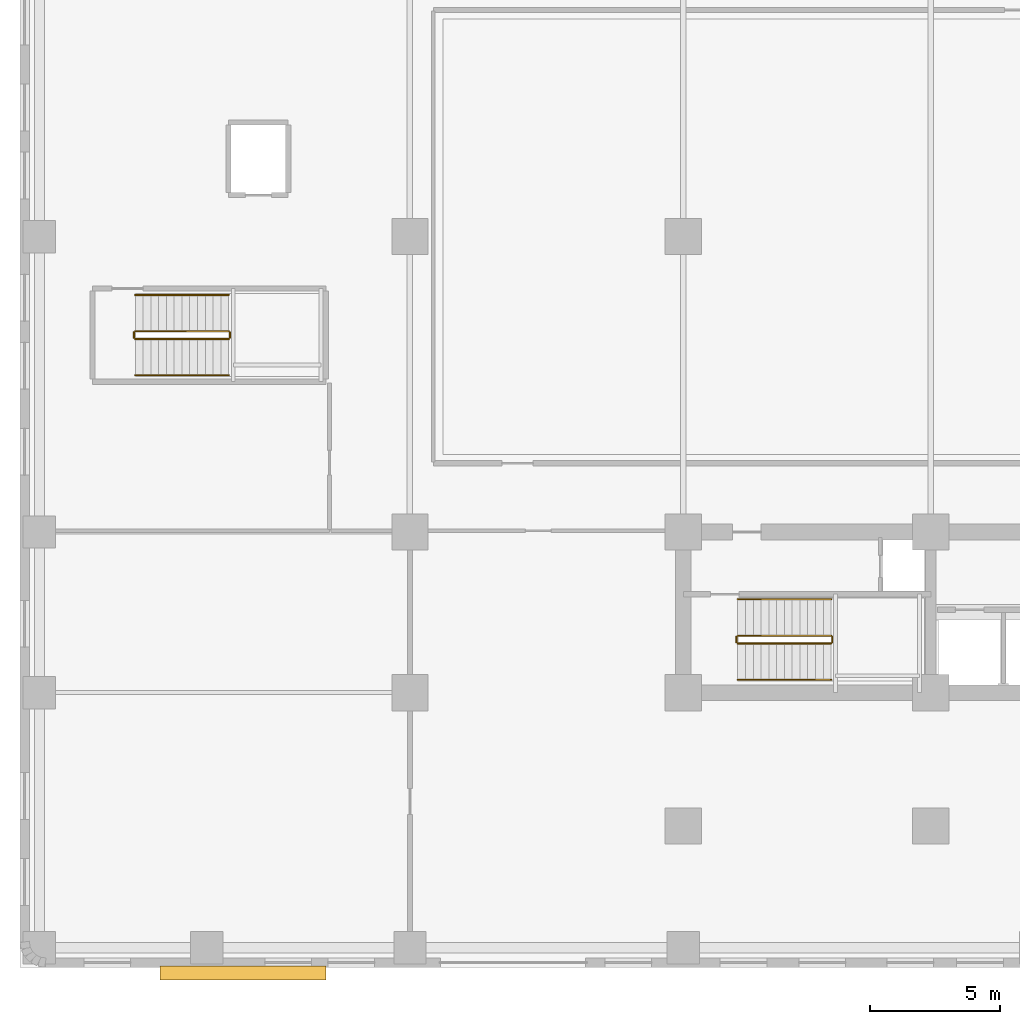
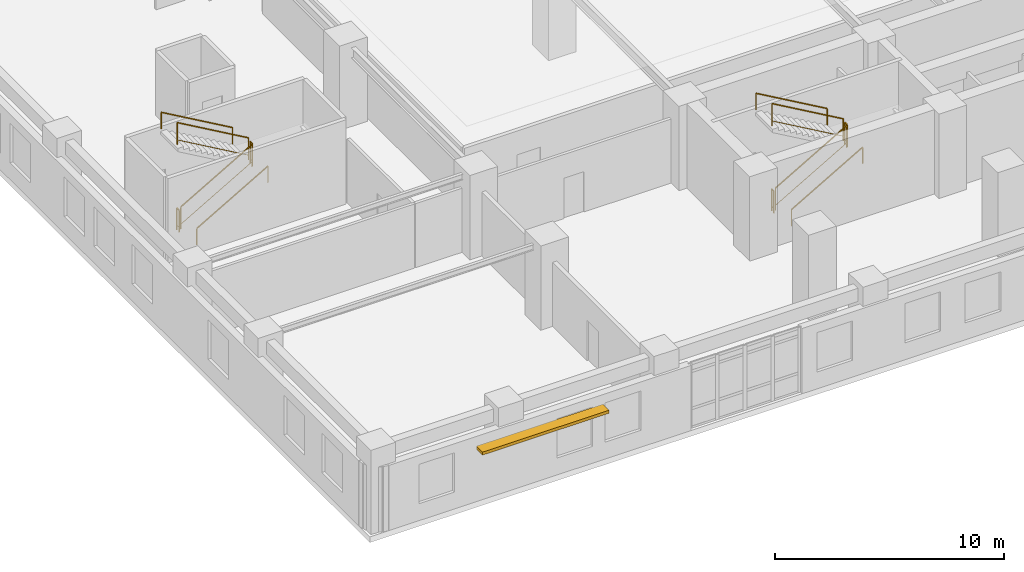
# One storey, part 13 of 16: 12 railings, 1 shading device.
"""IFC4 building model written with IfcOpenShell, lengths in metres."""

import ifcopenshell
import ifcopenshell.guid

model = None  # the IFC model being written
_history = None  # IfcOwnerHistory: only IFC2X3 demands one
_inside = {}  # id of a spatial element -> (the spatial element, [elements in it])
_under = {}  # id of a project, library or spatial element -> (it, [spatial elements below it])
_declared = {}  # id of a project -> (the project, [libraries it declares])
_typed = {}  # id of a type object -> (the type object, [elements of that type])
_made_of = {}  # id of a material, layer set ... -> (it, [elements and type objects made of it])


def new_model(schema):
    """Start an empty IFC model of exactly this schema.

    Asked for "IFC4X3", IfcOpenShell would pick the latest addendum, in which some entities
    have other attributes; the version numbers below select the first issue.
    IFC2X3 requires an IfcOwnerHistory on every rooted entity: one is made here for all.
    """
    global model, _history
    if schema == "IFC4X3":
        model = ifcopenshell.file(schema_version=(4, 3, 0, 0))
    else:
        model = ifcopenshell.file(schema=schema)
    _inside.clear()
    _under.clear()
    _declared.clear()
    _typed.clear()
    _made_of.clear()
    _history = None
    if model.schema == "IFC2X3":
        org = make("IfcOrganization", Name="unknown")
        user = make(
            "IfcPersonAndOrganization",
            ThePerson=make("IfcPerson", FamilyName="unknown"),
            TheOrganization=org,
        )
        app = make(
            "IfcApplication",
            ApplicationDeveloper=org,
            Version="unknown",
            ApplicationFullName="unknown",
            ApplicationIdentifier="unknown",
        )
        _history = make(
            "IfcOwnerHistory",
            OwningUser=user,
            OwningApplication=app,
            ChangeAction="ADDED",
            CreationDate=0,
        )
    return model


def make(cls, **values):
    """One entity of the class cls with the attributes given. An attribute that is None is left unset."""
    return model.create_entity(
        cls, **{name: value for name, value in values.items() if value is not None}
    )


def rooted(cls, **values):
    """An entity with a GlobalId (a new one), such as an element, a storey or a relation."""
    return make(cls, GlobalId=ifcopenshell.guid.new(), OwnerHistory=_history, **values)


def si_unit(unit_type, name, prefix=None):
    """IfcSIUnit, for example si_unit("LENGTHUNIT", "METRE", prefix="MILLI")."""
    return make("IfcSIUnit", UnitType=unit_type, Prefix=prefix, Name=name)


def assignment(units):
    """IfcUnitAssignment: the units of a project."""
    return None if units is None else make("IfcUnitAssignment", Units=units)


def point(xyz):
    """IfcCartesianPoint."""
    return None if xyz is None else make("IfcCartesianPoint", Coordinates=xyz)


def direction(xyz):
    """IfcDirection."""
    return None if xyz is None else make("IfcDirection", DirectionRatios=xyz)


def frame(location, z_axis=None, x_axis=None):
    """IfcAxis2Placement3D, a coordinate frame: its origin and axes. An axis left out is left unset."""
    return make(
        "IfcAxis2Placement3D",
        Location=point(location),
        Axis=direction(z_axis),
        RefDirection=direction(x_axis),
    )


def frame_2d(location, x_axis=None):
    """IfcAxis2Placement2D, a coordinate frame in the plane: its origin and x axis."""
    return make(
        "IfcAxis2Placement2D", Location=point(location), RefDirection=direction(x_axis)
    )


def origin():
    """The frame at (0, 0, 0) with its axes left unset."""
    return frame((0.0, 0.0, 0.0))


def origin_2d():
    """The frame at (0, 0) in the plane with its x axis left unset."""
    return frame_2d((0.0, 0.0))


def place(relative_to, where):
    """IfcLocalPlacement: puts the frame where relative to a parent placement (None: the world)."""
    return make(
        "IfcLocalPlacement", PlacementRelTo=relative_to, RelativePlacement=where
    )


def context(
    kind, dimensions, precision=None, world=None, true_north=None, identifier=None
):
    """IfcGeometricRepresentationContext, for example the 3D "Model" context."""
    return make(
        "IfcGeometricRepresentationContext",
        ContextIdentifier=identifier,
        ContextType=kind,
        CoordinateSpaceDimension=dimensions,
        Precision=precision,
        WorldCoordinateSystem=world,
        TrueNorth=true_north,
    )


def subcontext(parent, identifier, kind, view, scale=None):
    """IfcGeometricRepresentationSubContext, for example "Body" below "Model"."""
    return make(
        "IfcGeometricRepresentationSubContext",
        ContextIdentifier=identifier,
        ContextType=kind,
        ParentContext=parent,
        TargetScale=scale,
        TargetView=view,
    )


def project(units=None, contexts=None):
    """IfcProject with its units and contexts."""
    return rooted(
        "IfcProject",
        Name="project",
        RepresentationContexts=contexts,
        UnitsInContext=assignment(units),
    )


def spatial(cls, under=None, at=None, **own):
    """A site, building, storey or space (cls), placed at a placement, below another one or the project."""
    s = rooted(cls, ObjectPlacement=at, **own)
    if under is not None:
        _under.setdefault(under.id(), (under, []))[1].append(s)
    return s


def profile(cls, at=None, kind="AREA", **sizes):
    """A parametric profile (cls). Its sizes go by their IFC names, for example OverallWidth=200.0."""
    return make(cls, ProfileType=kind, Position=at, **sizes)


def rectangle(**sizes):
    """IfcRectangleProfileDef."""
    return profile("IfcRectangleProfileDef", **sizes)


def extrude(swept, where, along, depth):
    """IfcExtrudedAreaSolid: the profile swept, set in the frame where, extruded along a direction by depth."""
    return make(
        "IfcExtrudedAreaSolid",
        SweptArea=swept,
        Position=where,
        ExtrudedDirection=direction(along),
        Depth=depth,
    )


def shape(context_of_items, identifier, shape_type, items):
    """IfcShapeRepresentation: the items that make up one representation, for example the "Body"."""
    return make(
        "IfcShapeRepresentation",
        ContextOfItems=context_of_items,
        RepresentationIdentifier=identifier,
        RepresentationType=shape_type,
        Items=items,
    )


def material(Name=None, Category=None):
    """IfcMaterial."""
    return make("IfcMaterial", Name=Name, Category=Category)


def layer(
    of_material, thickness, ventilated=None, Name=None, Category=None, Priority=None
):
    """IfcMaterialLayer: one layer of a wall or slab, of a material (None: an air gap)."""
    return make(
        "IfcMaterialLayer",
        Material=of_material,
        LayerThickness=thickness,
        IsVentilated=ventilated,
        Name=Name,
        Category=Category,
        Priority=Priority,
    )


def layer_set(layers, Name=None):
    """IfcMaterialLayerSet."""
    return make("IfcMaterialLayerSet", MaterialLayers=layers, LayerSetName=Name)


def made_of(thing, what):
    """Note that an element or type object is made of a material, layer set ...; save() writes the relation."""
    if what is not None:
        _made_of.setdefault(what.id(), (what, []))[1].append(thing)
    return thing


def type_object(cls, material=None, **own):
    """A type object (cls), such as IfcWallType, which elements share."""
    return made_of(rooted(cls, **own), material)


def element(
    cls,
    number,
    at=None,
    inside=None,
    cuts=None,
    type_object=None,
    material=None,
    context=None,
    identifier="Body",
    shape_type=None,
    held_by="IfcProductDefinitionShape",
    body=None,
    shapes=None,
    **own,
):
    """One element of the class cls, such as IfcWall. Its Tag is "e" and its number.

    at: its placement. inside: the storey or other place that contains it. cuts: it is an
    opening in that element (IfcRelVoidsElement). A single representation is given by context,
    identifier, shape_type and body (its items); several are given by shapes. held_by: the class
    of the entity that holds the representations. save() writes the other relations.
    """
    e = rooted(cls, Tag="e%d" % number, ObjectPlacement=at, **own)
    if body is not None:
        shapes = [shape(context, identifier, shape_type, body)]
    if shapes is not None:
        e.Representation = make(held_by, Representations=shapes)
    if inside is not None:
        _inside.setdefault(inside.id(), (inside, []))[1].append(e)
    if cuts is not None:
        rooted(
            "IfcRelVoidsElement", RelatingBuildingElement=cuts, RelatedOpeningElement=e
        )
    if type_object is not None:
        _typed.setdefault(type_object.id(), (type_object, []))[1].append(e)
    return made_of(e, material)


def aggregate(whole, parts):
    """IfcRelAggregates: a whole, such as a stair, and the parts it consists of."""
    return rooted("IfcRelAggregates", RelatingObject=whole, RelatedObjects=parts)


def save(model, path):
    """Write the relations noted so far, then the file.

    IfcRelAggregates (storeys below a building ...), IfcRelContainedInSpatialStructure (elements
    in a storey), IfcRelDefinesByType, IfcRelAssociatesMaterial and IfcRelDeclares: one each for
    every whole, place, type object, material and project.
    """
    for whole, parts in _under.values():
        aggregate(whole, parts)
    for where, things in _inside.values():
        rooted(
            "IfcRelContainedInSpatialStructure",
            RelatedElements=things,
            RelatingStructure=where,
        )
    for kind, things in _typed.values():
        rooted("IfcRelDefinesByType", RelatedObjects=things, RelatingType=kind)
    for what, things in _made_of.values():
        rooted("IfcRelAssociatesMaterial", RelatedObjects=things, RelatingMaterial=what)
    for by, libraries in _declared.values():
        rooted("IfcRelDeclares", RelatingContext=by, RelatedDefinitions=libraries)
    model.write(path)


model = new_model("IFC4")

# Units and contexts
model_context = context("Model", 3, precision=1e-05, world=origin(), true_north=direction((0.0, 1.0)))
body_context = subcontext(model_context, "Body", "Model", "MODEL_VIEW")
ifc_project = project(units=[si_unit("LENGTHUNIT", "METRE"), si_unit("AREAUNIT", "SQUARE_METRE"), si_unit("VOLUMEUNIT", "CUBIC_METRE"), si_unit("PLANEANGLEUNIT", "RADIAN"), si_unit("MASSUNIT", "GRAM", prefix="KILO")], contexts=[model_context])

# Site, building, storey
site_placement = place(None, origin())
site = spatial("IfcSite", under=ifc_project, at=site_placement, CompositionType="ELEMENT")
building_placement = place(site_placement, origin())
building = spatial("IfcBuilding", under=site, at=building_placement, Name="Svetorya Sky Lyceum", CompositionType="ELEMENT")
storey_placement = place(building_placement, frame((0.0, 0.0, 11.10009765625)))
storey = spatial("IfcBuildingStorey", under=building, at=storey_placement, Name="L02", CompositionType="ELEMENT", Elevation=11.10009765625)

# Railings
ifc_material_1 = material(Name="Painted galvanized stair well guard")
railing_type_1 = type_object("IfcRailingType", Name="RL-STR-GUARD-1200", PredefinedType="GUARDRAIL", material=ifc_material_1)
railing_1_placement = place(storey_placement, frame((27.699951171875, 12.5, 0.173095703125)))
element("IfcRailing", 1, at=railing_1_placement, inside=storey, type_object=railing_type_1, Name="L02 ST-S stair guard 1", PredefinedType="GUARDRAIL", context=body_context, shape_type="SweptSolid", body=[
    extrude(rectangle(XDim=0.048095703125, YDim=0.048095703125, at=origin_2d()), frame((0.0, 0.0, 1.17578125), z_axis=(0.866193409371, 0.0, 0.499708892819), x_axis=(0.0, 1.0, 0.0)), (0.0, 0.0, 1.0), 4.15625),
    extrude(rectangle(XDim=0.02392578125, YDim=0.02392578125, at=origin_2d()), frame((0.0, 0.0, 0.25), z_axis=(0.866193409371, 0.0, 0.499708892819), x_axis=(0.0, 1.0, 0.0)), (0.0, 0.0, 1.0), 4.15625),
    extrude(rectangle(XDim=0.0419921875, YDim=0.0419921875, at=origin_2d()), origin(), (0.0, 0.0, 1.0), 1.15185546875),
    extrude(rectangle(XDim=0.0419921875, YDim=0.0419921875, at=origin_2d()), frame((3.60009765625, 0.0, 2.076904296875)), (0.0, 0.0, 1.0), 1.15185546875),
])
railing_2_placement = place(storey_placement, frame((31.35009765625, 12.550048828125, 2.25)))
element("IfcRailing", 2, at=railing_2_placement, inside=storey, type_object=railing_type_1, Name="L02 ST-S stair guard 2", PredefinedType="GUARDRAIL", context=body_context, shape_type="SweptSolid", body=[
    extrude(rectangle(XDim=0.048095703125, YDim=0.048095703125, at=origin_2d()), frame((0.0, 0.0, 1.17578125), z_axis=(0.0, 1.0, 0.0), x_axis=(-1.0, 0.0, 0.0)), (0.0, 0.0, 1.0), 0.199951171875),
    extrude(rectangle(XDim=0.02392578125, YDim=0.02392578125, at=origin_2d()), frame((0.0, 0.0, 0.25), z_axis=(0.0, 1.0, 0.0), x_axis=(-1.0, 0.0, 0.0)), (0.0, 0.0, 1.0), 0.199951171875),
    extrude(rectangle(XDim=0.0419921875, YDim=0.0419921875, at=origin_2d()), origin(), (0.0, 0.0, 1.0), 1.15185546875),
    extrude(rectangle(XDim=0.0419921875, YDim=0.0419921875, at=origin_2d()), frame((0.0, 0.199951171875, 0.0)), (0.0, 0.0, 1.0), 1.15185546875),
])
railing_3_placement = place(storey_placement, frame((31.300048828125, 12.800048828125, 2.423095703125)))
element("IfcRailing", 3, at=railing_3_placement, inside=storey, type_object=railing_type_1, Name="L02 ST-S stair guard 3", PredefinedType="GUARDRAIL", context=body_context, shape_type="SweptSolid", body=[
    extrude(rectangle(XDim=0.048095703125, YDim=0.048095703125, at=origin_2d()), frame((0.0, 0.0, 1.17578125), z_axis=(-0.866193409371, 0.0, 0.499708892819), x_axis=(0.0, -1.0, 0.0)), (0.0, 0.0, 1.0), 4.15625),
    extrude(rectangle(XDim=0.02392578125, YDim=0.02392578125, at=origin_2d()), frame((0.0, 0.0, 0.25), z_axis=(-0.866193409371, 0.0, 0.499708892819), x_axis=(0.0, -1.0, 0.0)), (0.0, 0.0, 1.0), 4.15625),
    extrude(rectangle(XDim=0.0419921875, YDim=0.0419921875, at=origin_2d()), origin(), (0.0, 0.0, 1.0), 1.15185546875),
    extrude(rectangle(XDim=0.0419921875, YDim=0.0419921875, at=origin_2d()), frame((-3.60009765625, 0.0, 2.076904296875)), (0.0, 0.0, 1.0), 1.15185546875),
])
railing_4_placement = place(storey_placement, frame((27.64990234375, 12.550048828125, 0.0)))
element("IfcRailing", 4, at=railing_4_placement, inside=storey, type_object=railing_type_1, Name="L02 ST-S stair guard 4", PredefinedType="GUARDRAIL", context=body_context, shape_type="SweptSolid", body=[
    extrude(rectangle(XDim=0.048095703125, YDim=0.048095703125, at=origin_2d()), frame((0.0, 0.0, 1.17578125), z_axis=(0.0, 1.0, 0.0), x_axis=(-1.0, 0.0, 0.0)), (0.0, 0.0, 1.0), 0.199951171875),
    extrude(rectangle(XDim=0.02392578125, YDim=0.02392578125, at=origin_2d()), frame((0.0, 0.0, 0.25), z_axis=(0.0, 1.0, 0.0), x_axis=(-1.0, 0.0, 0.0)), (0.0, 0.0, 1.0), 0.199951171875),
    extrude(rectangle(XDim=0.0419921875, YDim=0.0419921875, at=origin_2d()), origin(), (0.0, 0.0, 1.0), 1.15185546875),
    extrude(rectangle(XDim=0.0419921875, YDim=0.0419921875, at=origin_2d()), frame((0.0, 0.199951171875, 0.0)), (0.0, 0.0, 1.0), 1.15185546875),
])
railing_5_placement = place(storey_placement, frame((4.449951171875, 24.25, 0.173095703125)))
element("IfcRailing", 5, at=railing_5_placement, inside=storey, type_object=railing_type_1, Name="L02 ST-SCH-W stair guard 1", PredefinedType="GUARDRAIL", context=body_context, shape_type="SweptSolid", body=[
    extrude(rectangle(XDim=0.048095703125, YDim=0.048095703125, at=origin_2d()), frame((0.0, 0.0, 1.17578125), z_axis=(0.866193409371, 0.0, 0.499708892819), x_axis=(0.0, 1.0, 0.0)), (0.0, 0.0, 1.0), 4.15625),
    extrude(rectangle(XDim=0.02392578125, YDim=0.02392578125, at=origin_2d()), frame((0.0, 0.0, 0.25), z_axis=(0.866193409371, 0.0, 0.499708892819), x_axis=(0.0, 1.0, 0.0)), (0.0, 0.0, 1.0), 4.15625),
    extrude(rectangle(XDim=0.0419921875, YDim=0.0419921875, at=origin_2d()), origin(), (0.0, 0.0, 1.0), 1.15185546875),
    extrude(rectangle(XDim=0.0419921875, YDim=0.0419921875, at=origin_2d()), frame((3.60009765625, 0.0, 2.076904296875)), (0.0, 0.0, 1.0), 1.15185546875),
])
railing_6_placement = place(storey_placement, frame((8.10009765625, 24.300048828125, 2.25)))
element("IfcRailing", 6, at=railing_6_placement, inside=storey, type_object=railing_type_1, Name="L02 ST-SCH-W stair guard 2", PredefinedType="GUARDRAIL", context=body_context, shape_type="SweptSolid", body=[
    extrude(rectangle(XDim=0.048095703125, YDim=0.048095703125, at=origin_2d()), frame((0.0, 0.0, 1.17578125), z_axis=(0.0, 1.0, 0.0), x_axis=(-1.0, 0.0, 0.0)), (0.0, 0.0, 1.0), 0.199951171875),
    extrude(rectangle(XDim=0.02392578125, YDim=0.02392578125, at=origin_2d()), frame((0.0, 0.0, 0.25), z_axis=(0.0, 1.0, 0.0), x_axis=(-1.0, 0.0, 0.0)), (0.0, 0.0, 1.0), 0.199951171875),
    extrude(rectangle(XDim=0.0419921875, YDim=0.0419921875, at=origin_2d()), origin(), (0.0, 0.0, 1.0), 1.15185546875),
    extrude(rectangle(XDim=0.0419921875, YDim=0.0419921875, at=origin_2d()), frame((0.0, 0.199951171875, 0.0)), (0.0, 0.0, 1.0), 1.15185546875),
])
railing_7_placement = place(storey_placement, frame((8.050048828125, 24.550048828125, 2.423095703125)))
element("IfcRailing", 7, at=railing_7_placement, inside=storey, type_object=railing_type_1, Name="L02 ST-SCH-W stair guard 3", PredefinedType="GUARDRAIL", context=body_context, shape_type="SweptSolid", body=[
    extrude(rectangle(XDim=0.048095703125, YDim=0.048095703125, at=origin_2d()), frame((0.0, 0.0, 1.17578125), z_axis=(-0.866193409371, 0.0, 0.499708892819), x_axis=(0.0, -1.0, 0.0)), (0.0, 0.0, 1.0), 4.15625),
    extrude(rectangle(XDim=0.02392578125, YDim=0.02392578125, at=origin_2d()), frame((0.0, 0.0, 0.25), z_axis=(-0.866193409371, 0.0, 0.499708892819), x_axis=(0.0, -1.0, 0.0)), (0.0, 0.0, 1.0), 4.15625),
    extrude(rectangle(XDim=0.0419921875, YDim=0.0419921875, at=origin_2d()), origin(), (0.0, 0.0, 1.0), 1.15185546875),
    extrude(rectangle(XDim=0.0419921875, YDim=0.0419921875, at=origin_2d()), frame((-3.60009765625, 0.0, 2.076904296875)), (0.0, 0.0, 1.0), 1.15185546875),
])
railing_8_placement = place(storey_placement, frame((4.39990234375, 24.300048828125, 0.0)))
element("IfcRailing", 8, at=railing_8_placement, inside=storey, type_object=railing_type_1, Name="L02 ST-SCH-W stair guard 4", PredefinedType="GUARDRAIL", context=body_context, shape_type="SweptSolid", body=[
    extrude(rectangle(XDim=0.048095703125, YDim=0.048095703125, at=origin_2d()), frame((0.0, 0.0, 1.17578125), z_axis=(0.0, 1.0, 0.0), x_axis=(-1.0, 0.0, 0.0)), (0.0, 0.0, 1.0), 0.199951171875),
    extrude(rectangle(XDim=0.02392578125, YDim=0.02392578125, at=origin_2d()), frame((0.0, 0.0, 0.25), z_axis=(0.0, 1.0, 0.0), x_axis=(-1.0, 0.0, 0.0)), (0.0, 0.0, 1.0), 0.199951171875),
    extrude(rectangle(XDim=0.0419921875, YDim=0.0419921875, at=origin_2d()), origin(), (0.0, 0.0, 1.0), 1.15185546875),
    extrude(rectangle(XDim=0.0419921875, YDim=0.0419921875, at=origin_2d()), frame((0.0, 0.199951171875, 0.0)), (0.0, 0.0, 1.0), 1.15185546875),
])
ifc_material_2 = material(Name="Brushed stainless AISI 304 stair handrail")
railing_type_2 = type_object("IfcRailingType", Name="RL-STR-HAND-920", PredefinedType="HANDRAIL", material=ifc_material_2)
railing_9_placement = place(storey_placement, frame((27.699951171875, 11.10009765625, 0.173095703125)))
element("IfcRailing", 9, at=railing_9_placement, inside=storey, type_object=railing_type_2, Name="L02 ST-S stair handrail 1", PredefinedType="HANDRAIL", context=body_context, shape_type="SweptSolid", body=[
    extrude(rectangle(XDim=0.048095703125, YDim=0.048095703125, at=origin_2d()), frame((0.0, 0.0, 0.8759765625), z_axis=(0.866193409371, 0.0, 0.499708892819), x_axis=(0.0, 1.0, 0.0)), (0.0, 0.0, 1.0), 4.15625),
    extrude(rectangle(XDim=0.0419921875, YDim=0.0419921875, at=origin_2d()), origin(), (0.0, 0.0, 1.0), 0.851806640625),
    extrude(rectangle(XDim=0.0419921875, YDim=0.0419921875, at=origin_2d()), frame((3.60009765625, 0.0, 2.076904296875)), (0.0, 0.0, 1.0), 0.851806640625),
])
railing_10_placement = place(storey_placement, frame((31.300048828125, 14.199951171875, 2.423095703125)))
element("IfcRailing", 10, at=railing_10_placement, inside=storey, type_object=railing_type_2, Name="L02 ST-S stair handrail 2", PredefinedType="HANDRAIL", context=body_context, shape_type="SweptSolid", body=[
    extrude(rectangle(XDim=0.048095703125, YDim=0.048095703125, at=origin_2d()), frame((0.0, 0.0, 0.8759765625), z_axis=(-0.866193409371, 0.0, 0.499708892819), x_axis=(0.0, -1.0, 0.0)), (0.0, 0.0, 1.0), 4.15625),
    extrude(rectangle(XDim=0.0419921875, YDim=0.0419921875, at=origin_2d()), origin(), (0.0, 0.0, 1.0), 0.851806640625),
    extrude(rectangle(XDim=0.0419921875, YDim=0.0419921875, at=origin_2d()), frame((-3.60009765625, 0.0, 2.076904296875)), (0.0, 0.0, 1.0), 0.851806640625),
])
railing_11_placement = place(storey_placement, frame((4.449951171875, 22.85009765625, 0.173095703125)))
element("IfcRailing", 11, at=railing_11_placement, inside=storey, type_object=railing_type_2, Name="L02 ST-SCH-W stair handrail 1", PredefinedType="HANDRAIL", context=body_context, shape_type="SweptSolid", body=[
    extrude(rectangle(XDim=0.048095703125, YDim=0.048095703125, at=origin_2d()), frame((0.0, 0.0, 0.8759765625), z_axis=(0.866193409371, 0.0, 0.499708892819), x_axis=(0.0, 1.0, 0.0)), (0.0, 0.0, 1.0), 4.15625),
    extrude(rectangle(XDim=0.0419921875, YDim=0.0419921875, at=origin_2d()), origin(), (0.0, 0.0, 1.0), 0.851806640625),
    extrude(rectangle(XDim=0.0419921875, YDim=0.0419921875, at=origin_2d()), frame((3.60009765625, 0.0, 2.076904296875)), (0.0, 0.0, 1.0), 0.851806640625),
])
railing_12_placement = place(storey_placement, frame((8.050048828125, 25.949951171875, 2.423095703125)))
element("IfcRailing", 12, at=railing_12_placement, inside=storey, type_object=railing_type_2, Name="L02 ST-SCH-W stair handrail 2", PredefinedType="HANDRAIL", context=body_context, shape_type="SweptSolid", body=[
    extrude(rectangle(XDim=0.048095703125, YDim=0.048095703125, at=origin_2d()), frame((0.0, 0.0, 0.8759765625), z_axis=(-0.866193409371, 0.0, 0.499708892819), x_axis=(0.0, -1.0, 0.0)), (0.0, 0.0, 1.0), 4.15625),
    extrude(rectangle(XDim=0.0419921875, YDim=0.0419921875, at=origin_2d()), origin(), (0.0, 0.0, 1.0), 0.851806640625),
    extrude(rectangle(XDim=0.0419921875, YDim=0.0419921875, at=origin_2d()), frame((-3.60009765625, 0.0, 2.076904296875)), (0.0, 0.0, 1.0), 0.851806640625),
])

# Shading device
ifc_material_3 = material(Name="Champagne-anodized extruded aluminium sunshade", Category="aluminium")
ifc_layer = layer(ifc_material_3, 0.159912109375)
ifc_layer_set = layer_set([ifc_layer], Name="Champagne-anodized extruded aluminium sunshade")
shading_device_type = type_object("IfcShadingDeviceType", Name="SHD-LVR-540", PredefinedType="AWNING", material=ifc_layer_set)
shading_device_placement = place(storey_placement, frame((8.60498046875, -0.219970703125, 2.77001953125), z_axis=(0.0, 0.0, 1.0), x_axis=(1.0, 0.0, 0.0)))
element("IfcShadingDevice", 13, at=shading_device_placement, inside=storey, type_object=shading_device_type, Name="L02 Solar Brise-Soleil SHD-1.6A", PredefinedType="AWNING", context=body_context, shape_type="SweptSolid", body=[
    extrude(rectangle(XDim=6.39990234375, YDim=0.5400390625, at=origin_2d()), origin(), (0.0, 0.0, 1.0), 0.159912109375),
])

save(model, "model.ifc")
